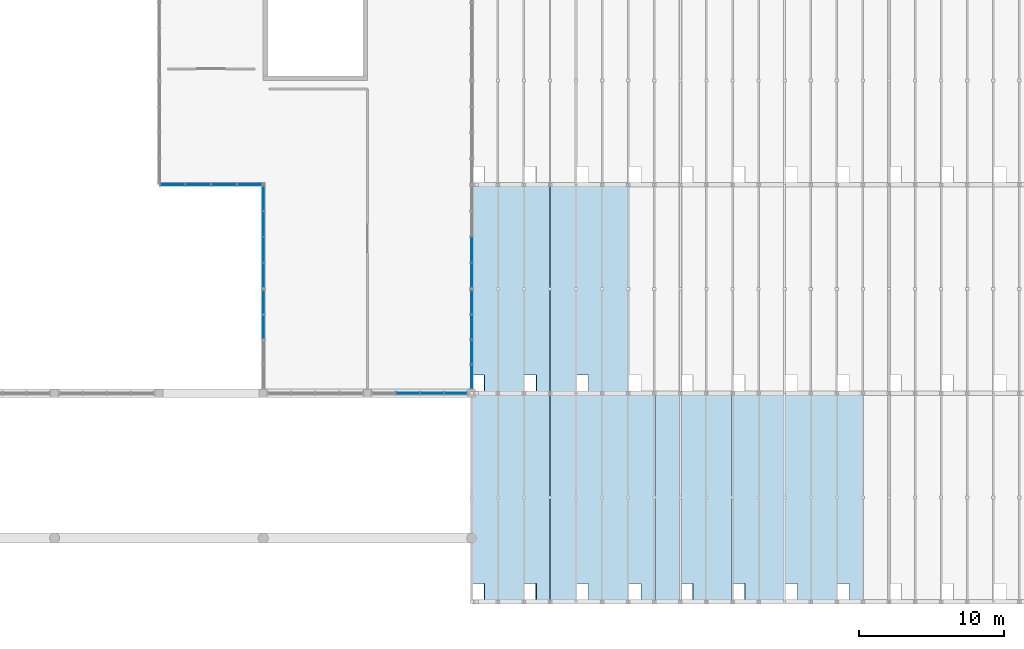
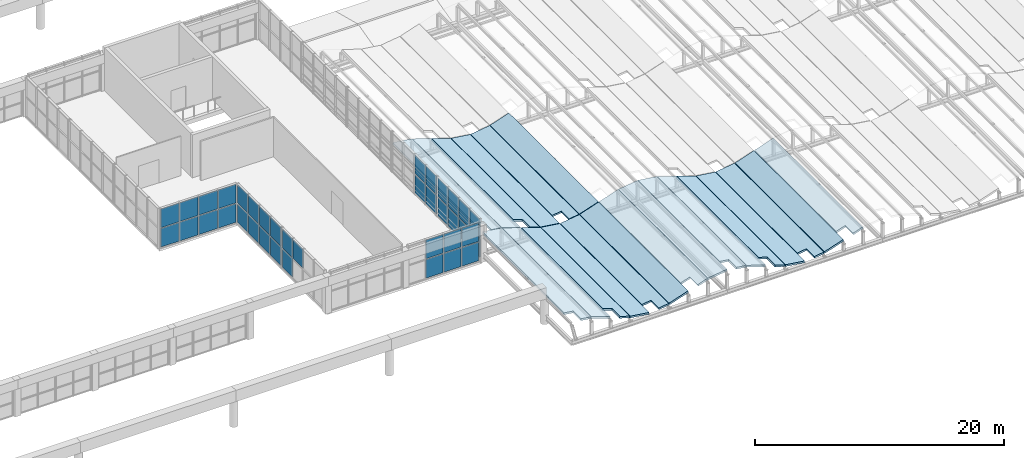
# One storey, part 54 of 83: 37 plates, 21 slabs, 6 elements without a shape of their own.
"""IFC4 building model written with IfcOpenShell, lengths in metres."""

from ifc_helpers import new_model, si_unit, direction, frame, origin, origin_2d, place, context, subcontext, project, spatial, polyline, rectangle, outline, extrude, material, layer, layer_set, type_object, element, aggregate, save


model = new_model("IFC4")

# Units and contexts
model_context = context("Model", 3, precision=1e-05, world=origin(), true_north=direction((0.0, 1.0)))
body_context = subcontext(model_context, "Body", "Model", "MODEL_VIEW")
ifc_project = project(units=[si_unit("LENGTHUNIT", "METRE"), si_unit("AREAUNIT", "SQUARE_METRE"), si_unit("VOLUMEUNIT", "CUBIC_METRE"), si_unit("PLANEANGLEUNIT", "RADIAN"), si_unit("MASSUNIT", "GRAM", prefix="KILO")], contexts=[model_context])

# Site, building, storey
site_placement = place(None, origin())
site = spatial("IfcSite", under=ifc_project, at=site_placement, CompositionType="ELEMENT")
building_placement = place(site_placement, origin())
building = spatial("IfcBuilding", under=site, at=building_placement, Name="Leyfeld Transit Interchange", CompositionType="ELEMENT")
storey_placement = place(building_placement, frame((0.0, 0.0, 5.39990234375)))
storey = spatial("IfcBuildingStorey", under=building, at=storey_placement, Name="L01", CompositionType="ELEMENT", Elevation=5.39990234375)

# Curtain wall, plates
ifc_material_1 = material(Name="Anodised aluminium EN AW-6060 T66", Category="aluminium")
curtain_wall_type = type_object("IfcCurtainWallType", Name="CW-SYS-ARC-7200", PredefinedType="NOTDEFINED", material=ifc_material_1)
curtain_wall_1_placement = place(storey_placement, origin())
curtain_wall_1 = element("IfcCurtainWall", 1, at=curtain_wall_1_placement, inside=storey, type_object=curtain_wall_type, Name="Curtain Wall CW-L01-073", PredefinedType="NOTDEFINED")
ifc_material_2 = material(Name="Triple low-E insulated glazing", Category="glass")
ifc_layer_1 = layer(ifc_material_2, 0.0439453125, Name="Triple low-E insulated glazing")
ifc_layer_set_1 = layer_set([ifc_layer_1], Name="Triple low-E insulated glazing")
plate_type = type_object("IfcPlateType", Name="CW-PNL-GLZ-44", PredefinedType="CURTAIN_PANEL", material=ifc_layer_set_1)
plate_1_placement = place(storey_placement, frame((86.39990234375, 18.980712890625, 1.9912109375), z_axis=(0.0, 0.0, 1.0), x_axis=(0.0, 1.0, 0.0)))
plate_1 = element("IfcPlate", 2, at=plate_1_placement, type_object=plate_type, Name="Glazed Curtain Panel CW-L01-073-P03_2", PredefinedType="CURTAIN_PANEL", context=body_context, shape_type="SweptSolid", body=[
    extrude(rectangle(XDim=1.644287109375, YDim=0.0439453125, at=origin_2d()), origin(), (0.0, 0.0, 1.0), 1.825439453125),
])
plate_2_placement = place(storey_placement, frame((86.39990234375, 20.685546875, 0.08349609375), z_axis=(0.0, 0.0, 1.0), x_axis=(0.0, 1.0, 0.0)))
plate_2 = element("IfcPlate", 3, at=plate_2_placement, type_object=plate_type, Name="Glazed Curtain Panel CW-L01-073-P04_1", PredefinedType="CURTAIN_PANEL", context=body_context, shape_type="SweptSolid", body=[
    extrude(rectangle(XDim=1.601806640625, YDim=0.0439453125, at=origin_2d()), origin(), (0.0, 0.0, 1.0), 1.825439453125),
])
plate_3_placement = place(storey_placement, frame((86.39990234375, 20.685546875, 1.9912109375), z_axis=(0.0, 0.0, 1.0), x_axis=(0.0, 1.0, 0.0)))
plate_3 = element("IfcPlate", 4, at=plate_3_placement, type_object=plate_type, Name="Glazed Curtain Panel CW-L01-073-P04_2", PredefinedType="CURTAIN_PANEL", context=body_context, shape_type="SweptSolid", body=[
    extrude(rectangle(XDim=1.601806640625, YDim=0.0439453125, at=origin_2d()), origin(), (0.0, 0.0, 1.0), 1.825439453125),
])
aggregate(curtain_wall_1, [plate_1, plate_2, plate_3])

curtain_wall_2_placement = place(storey_placement, origin())
curtain_wall_2 = element("IfcCurtainWall", 5, at=curtain_wall_2_placement, inside=storey, type_object=curtain_wall_type, Name="Curtain Wall CW-L01-074", PredefinedType="NOTDEFINED")
plate_4_placement = place(storey_placement, frame((86.39990234375, 22.543701171875, 0.08349609375), z_axis=(0.0, 0.0, 1.0), x_axis=(0.0, 1.0, 0.0)))
plate_4 = element("IfcPlate", 6, at=plate_4_placement, type_object=plate_type, Name="Glazed Curtain Panel CW-L01-074-P01_1", PredefinedType="CURTAIN_PANEL", context=body_context, shape_type="SweptSolid", body=[
    extrude(rectangle(XDim=1.660400390625, YDim=0.0439453125, at=origin_2d()), origin(), (0.0, 0.0, 1.0), 1.825439453125),
])
plate_5_placement = place(storey_placement, frame((86.39990234375, 22.543701171875, 1.9912109375), z_axis=(0.0, 0.0, 1.0), x_axis=(0.0, 1.0, 0.0)))
plate_5 = element("IfcPlate", 7, at=plate_5_placement, type_object=plate_type, Name="Glazed Curtain Panel CW-L01-074-P01_2", PredefinedType="CURTAIN_PANEL", context=body_context, shape_type="SweptSolid", body=[
    extrude(rectangle(XDim=1.660400390625, YDim=0.0439453125, at=origin_2d()), origin(), (0.0, 0.0, 1.0), 1.825439453125),
])
plate_6_placement = place(storey_placement, frame((86.39990234375, 24.3076171875, 0.08349609375), z_axis=(0.0, 0.0, 1.0), x_axis=(0.0, 1.0, 0.0)))
plate_6 = element("IfcPlate", 8, at=plate_6_placement, type_object=plate_type, Name="Glazed Curtain Panel CW-L01-074-P02_1", PredefinedType="CURTAIN_PANEL", context=body_context, shape_type="SweptSolid", body=[
    extrude(rectangle(XDim=1.702880859375, YDim=0.0439453125, at=origin_2d()), origin(), (0.0, 0.0, 1.0), 1.825439453125),
])
plate_7_placement = place(storey_placement, frame((86.39990234375, 24.3076171875, 1.9912109375), z_axis=(0.0, 0.0, 1.0), x_axis=(0.0, 1.0, 0.0)))
plate_7 = element("IfcPlate", 9, at=plate_7_placement, type_object=plate_type, Name="Glazed Curtain Panel CW-L01-074-P02_2", PredefinedType="CURTAIN_PANEL", context=body_context, shape_type="SweptSolid", body=[
    extrude(rectangle(XDim=1.702880859375, YDim=0.0439453125, at=origin_2d()), origin(), (0.0, 0.0, 1.0), 1.825439453125),
])
plate_8_placement = place(storey_placement, frame((86.39990234375, 26.092529296875, 0.08349609375), z_axis=(0.0, 0.0, 1.0), x_axis=(0.0, 1.0, 0.0)))
plate_8 = element("IfcPlate", 10, at=plate_8_placement, type_object=plate_type, Name="Glazed Curtain Panel CW-L01-074-P03_1", PredefinedType="CURTAIN_PANEL", context=body_context, shape_type="SweptSolid", body=[
    extrude(rectangle(XDim=1.702880859375, YDim=0.0439453125, at=origin_2d()), origin(), (0.0, 0.0, 1.0), 1.825439453125),
])
plate_9_placement = place(storey_placement, frame((86.39990234375, 26.092529296875, 1.9912109375), z_axis=(0.0, 0.0, 1.0), x_axis=(0.0, 1.0, 0.0)))
plate_9 = element("IfcPlate", 11, at=plate_9_placement, type_object=plate_type, Name="Glazed Curtain Panel CW-L01-074-P03_2", PredefinedType="CURTAIN_PANEL", context=body_context, shape_type="SweptSolid", body=[
    extrude(rectangle(XDim=1.702880859375, YDim=0.0439453125, at=origin_2d()), origin(), (0.0, 0.0, 1.0), 1.825439453125),
])
plate_10_placement = place(storey_placement, frame((86.39990234375, 27.856201171875, 0.08349609375), z_axis=(0.0, 0.0, 1.0), x_axis=(0.0, 1.0, 0.0)))
plate_10 = element("IfcPlate", 12, at=plate_10_placement, type_object=plate_type, Name="Glazed Curtain Panel CW-L01-074-P04_1", PredefinedType="CURTAIN_PANEL", context=body_context, shape_type="SweptSolid", body=[
    extrude(rectangle(XDim=1.660400390625, YDim=0.0439453125, at=origin_2d()), origin(), (0.0, 0.0, 1.0), 1.825439453125),
])
plate_11_placement = place(storey_placement, frame((86.39990234375, 27.856201171875, 1.9912109375), z_axis=(0.0, 0.0, 1.0), x_axis=(0.0, 1.0, 0.0)))
plate_11 = element("IfcPlate", 13, at=plate_11_placement, type_object=plate_type, Name="Glazed Curtain Panel CW-L01-074-P04_2", PredefinedType="CURTAIN_PANEL", context=body_context, shape_type="SweptSolid", body=[
    extrude(rectangle(XDim=1.660400390625, YDim=0.0439453125, at=origin_2d()), origin(), (0.0, 0.0, 1.0), 1.825439453125),
])
aggregate(curtain_wall_2, [plate_4, plate_5, plate_6, plate_7, plate_8, plate_9, plate_10, plate_11])

curtain_wall_3_placement = place(storey_placement, origin())
curtain_wall_3 = element("IfcCurtainWall", 14, at=curtain_wall_3_placement, inside=storey, type_object=curtain_wall_type, Name="Curtain Wall CW-L01-075", PredefinedType="NOTDEFINED")
plate_12_placement = place(storey_placement, frame((85.456298828125, 28.800048828125, 0.08349609375), z_axis=(0.0, 0.0, 1.0), x_axis=(-1.0, 0.0, 0.0)))
plate_12 = element("IfcPlate", 15, at=plate_12_placement, type_object=plate_type, Name="Glazed Curtain Panel CW-L01-075-P01_1", PredefinedType="CURTAIN_PANEL", context=body_context, shape_type="SweptSolid", body=[
    extrude(rectangle(XDim=1.660400390625, YDim=0.0439453125, at=origin_2d()), origin(), (0.0, 0.0, 1.0), 1.825439453125),
])
plate_13_placement = place(storey_placement, frame((85.456298828125, 28.800048828125, 1.9912109375), z_axis=(0.0, 0.0, 1.0), x_axis=(-1.0, 0.0, 0.0)))
plate_13 = element("IfcPlate", 16, at=plate_13_placement, type_object=plate_type, Name="Glazed Curtain Panel CW-L01-075-P01_2", PredefinedType="CURTAIN_PANEL", context=body_context, shape_type="SweptSolid", body=[
    extrude(rectangle(XDim=1.660400390625, YDim=0.0439453125, at=origin_2d()), origin(), (0.0, 0.0, 1.0), 1.825439453125),
])
plate_14_placement = place(storey_placement, frame((83.6923828125, 28.800048828125, 0.08349609375), z_axis=(0.0, 0.0, 1.0), x_axis=(-1.0, 0.0, 0.0)))
plate_14 = element("IfcPlate", 17, at=plate_14_placement, type_object=plate_type, Name="Glazed Curtain Panel CW-L01-075-P02_1", PredefinedType="CURTAIN_PANEL", context=body_context, shape_type="SweptSolid", body=[
    extrude(rectangle(XDim=1.702880859375, YDim=0.0439453125, at=origin_2d()), origin(), (0.0, 0.0, 1.0), 1.825439453125),
])
plate_15_placement = place(storey_placement, frame((83.6923828125, 28.800048828125, 1.9912109375), z_axis=(0.0, 0.0, 1.0), x_axis=(-1.0, 0.0, 0.0)))
plate_15 = element("IfcPlate", 18, at=plate_15_placement, type_object=plate_type, Name="Glazed Curtain Panel CW-L01-075-P02_2", PredefinedType="CURTAIN_PANEL", context=body_context, shape_type="SweptSolid", body=[
    extrude(rectangle(XDim=1.702880859375, YDim=0.0439453125, at=origin_2d()), origin(), (0.0, 0.0, 1.0), 1.825439453125),
])
plate_16_placement = place(storey_placement, frame((81.907470703125, 28.800048828125, 0.08349609375), z_axis=(0.0, 0.0, 1.0), x_axis=(-1.0, 0.0, 0.0)))
plate_16 = element("IfcPlate", 19, at=plate_16_placement, type_object=plate_type, Name="Glazed Curtain Panel CW-L01-075-P03_1", PredefinedType="CURTAIN_PANEL", context=body_context, shape_type="SweptSolid", body=[
    extrude(rectangle(XDim=1.702880859375, YDim=0.0439453125, at=origin_2d()), origin(), (0.0, 0.0, 1.0), 1.825439453125),
])
plate_17_placement = place(storey_placement, frame((81.907470703125, 28.800048828125, 1.9912109375), z_axis=(0.0, 0.0, 1.0), x_axis=(-1.0, 0.0, 0.0)))
plate_17 = element("IfcPlate", 20, at=plate_17_placement, type_object=plate_type, Name="Glazed Curtain Panel CW-L01-075-P03_2", PredefinedType="CURTAIN_PANEL", context=body_context, shape_type="SweptSolid", body=[
    extrude(rectangle(XDim=1.702880859375, YDim=0.0439453125, at=origin_2d()), origin(), (0.0, 0.0, 1.0), 1.825439453125),
])
plate_18_placement = place(storey_placement, frame((80.143798828125, 28.800048828125, 0.08349609375), z_axis=(0.0, 0.0, 1.0), x_axis=(-1.0, 0.0, 0.0)))
plate_18 = element("IfcPlate", 21, at=plate_18_placement, type_object=plate_type, Name="Glazed Curtain Panel CW-L01-075-P04_1", PredefinedType="CURTAIN_PANEL", context=body_context, shape_type="SweptSolid", body=[
    extrude(rectangle(XDim=1.660400390625, YDim=0.0439453125, at=origin_2d()), origin(), (0.0, 0.0, 1.0), 1.825439453125),
])
plate_19_placement = place(storey_placement, frame((80.143798828125, 28.800048828125, 1.9912109375), z_axis=(0.0, 0.0, 1.0), x_axis=(-1.0, 0.0, 0.0)))
plate_19 = element("IfcPlate", 22, at=plate_19_placement, type_object=plate_type, Name="Glazed Curtain Panel CW-L01-075-P04_2", PredefinedType="CURTAIN_PANEL", context=body_context, shape_type="SweptSolid", body=[
    extrude(rectangle(XDim=1.660400390625, YDim=0.0439453125, at=origin_2d()), origin(), (0.0, 0.0, 1.0), 1.825439453125),
])
aggregate(curtain_wall_3, [plate_12, plate_13, plate_14, plate_15, plate_16, plate_17, plate_18, plate_19])

curtain_wall_4_placement = place(storey_placement, origin())
curtain_wall_4 = element("IfcCurtainWall", 23, at=curtain_wall_4_placement, inside=storey, type_object=curtain_wall_type, Name="Curtain Wall CW-L01-084", PredefinedType="NOTDEFINED")
plate_20_placement = place(storey_placement, frame((100.800048828125, 24.3076171875, 0.08349609375), z_axis=(0.0, 0.0, 1.0), x_axis=(0.0, -1.0, 0.0)))
plate_20 = element("IfcPlate", 24, at=plate_20_placement, type_object=plate_type, Name="Glazed Curtain Panel CW-L01-084-P03_1", PredefinedType="CURTAIN_PANEL", context=body_context, shape_type="SweptSolid", body=[
    extrude(rectangle(XDim=1.702880859375, YDim=0.0439453125, at=origin_2d()), origin(), (0.0, 0.0, 1.0), 1.825439453125),
])
plate_21_placement = place(storey_placement, frame((100.800048828125, 24.3076171875, 1.9912109375), z_axis=(0.0, 0.0, 1.0), x_axis=(0.0, -1.0, 0.0)))
plate_21 = element("IfcPlate", 25, at=plate_21_placement, type_object=plate_type, Name="Glazed Curtain Panel CW-L01-084-P03_2", PredefinedType="CURTAIN_PANEL", context=body_context, shape_type="SweptSolid", body=[
    extrude(rectangle(XDim=1.702880859375, YDim=0.0439453125, at=origin_2d()), origin(), (0.0, 0.0, 1.0), 1.825439453125),
])
plate_22_placement = place(storey_placement, frame((100.800048828125, 22.543701171875, 0.08349609375), z_axis=(0.0, 0.0, 1.0), x_axis=(0.0, -1.0, 0.0)))
plate_22 = element("IfcPlate", 26, at=plate_22_placement, type_object=plate_type, Name="Glazed Curtain Panel CW-L01-084-P04_1", PredefinedType="CURTAIN_PANEL", context=body_context, shape_type="SweptSolid", body=[
    extrude(rectangle(XDim=1.660400390625, YDim=0.0439453125, at=origin_2d()), origin(), (0.0, 0.0, 1.0), 1.825439453125),
])
plate_23_placement = place(storey_placement, frame((100.800048828125, 22.543701171875, 1.9912109375), z_axis=(0.0, 0.0, 1.0), x_axis=(0.0, -1.0, 0.0)))
plate_23 = element("IfcPlate", 27, at=plate_23_placement, type_object=plate_type, Name="Glazed Curtain Panel CW-L01-084-P04_2", PredefinedType="CURTAIN_PANEL", context=body_context, shape_type="SweptSolid", body=[
    extrude(rectangle(XDim=1.660400390625, YDim=0.0439453125, at=origin_2d()), origin(), (0.0, 0.0, 1.0), 1.825439453125),
])
aggregate(curtain_wall_4, [plate_20, plate_21, plate_22, plate_23])

curtain_wall_5_placement = place(storey_placement, origin())
curtain_wall_5 = element("IfcCurtainWall", 28, at=curtain_wall_5_placement, inside=storey, type_object=curtain_wall_type, Name="Curtain Wall CW-L01-085", PredefinedType="NOTDEFINED")
plate_24_placement = place(storey_placement, frame((100.800048828125, 20.685546875, 0.08349609375), z_axis=(0.0, 0.0, 1.0), x_axis=(0.0, -1.0, 0.0)))
plate_24 = element("IfcPlate", 29, at=plate_24_placement, type_object=plate_type, Name="Glazed Curtain Panel CW-L01-085-P01_1", PredefinedType="CURTAIN_PANEL", context=body_context, shape_type="SweptSolid", body=[
    extrude(rectangle(XDim=1.601806640625, YDim=0.0439453125, at=origin_2d()), origin(), (0.0, 0.0, 1.0), 1.825439453125),
])
plate_25_placement = place(storey_placement, frame((100.800048828125, 20.685546875, 1.9912109375), z_axis=(0.0, 0.0, 1.0), x_axis=(0.0, -1.0, 0.0)))
plate_25 = element("IfcPlate", 30, at=plate_25_placement, type_object=plate_type, Name="Glazed Curtain Panel CW-L01-085-P01_2", PredefinedType="CURTAIN_PANEL", context=body_context, shape_type="SweptSolid", body=[
    extrude(rectangle(XDim=1.601806640625, YDim=0.0439453125, at=origin_2d()), origin(), (0.0, 0.0, 1.0), 1.825439453125),
])
plate_26_placement = place(storey_placement, frame((100.800048828125, 18.980712890625, 0.08349609375), z_axis=(0.0, 0.0, 1.0), x_axis=(0.0, -1.0, 0.0)))
plate_26 = element("IfcPlate", 31, at=plate_26_placement, type_object=plate_type, Name="Glazed Curtain Panel CW-L01-085-P02_1", PredefinedType="CURTAIN_PANEL", context=body_context, shape_type="SweptSolid", body=[
    extrude(rectangle(XDim=1.644287109375, YDim=0.0439453125, at=origin_2d()), origin(), (0.0, 0.0, 1.0), 1.825439453125),
])
plate_27_placement = place(storey_placement, frame((100.800048828125, 18.980712890625, 1.9912109375), z_axis=(0.0, 0.0, 1.0), x_axis=(0.0, -1.0, 0.0)))
plate_27 = element("IfcPlate", 32, at=plate_27_placement, type_object=plate_type, Name="Glazed Curtain Panel CW-L01-085-P02_2", PredefinedType="CURTAIN_PANEL", context=body_context, shape_type="SweptSolid", body=[
    extrude(rectangle(XDim=1.644287109375, YDim=0.0439453125, at=origin_2d()), origin(), (0.0, 0.0, 1.0), 1.825439453125),
])
plate_28_placement = place(storey_placement, frame((100.800048828125, 17.25439453125, 0.08349609375), z_axis=(0.0, 0.0, 1.0), x_axis=(0.0, -1.0, 0.0)))
plate_28 = element("IfcPlate", 33, at=plate_28_placement, type_object=plate_type, Name="Glazed Curtain Panel CW-L01-085-P03_1", PredefinedType="CURTAIN_PANEL", context=body_context, shape_type="SweptSolid", body=[
    extrude(rectangle(XDim=1.644287109375, YDim=0.0439453125, at=origin_2d()), origin(), (0.0, 0.0, 1.0), 1.825439453125),
])
plate_29_placement = place(storey_placement, frame((100.800048828125, 17.25439453125, 1.9912109375), z_axis=(0.0, 0.0, 1.0), x_axis=(0.0, -1.0, 0.0)))
plate_29 = element("IfcPlate", 34, at=plate_29_placement, type_object=plate_type, Name="Glazed Curtain Panel CW-L01-085-P03_2", PredefinedType="CURTAIN_PANEL", context=body_context, shape_type="SweptSolid", body=[
    extrude(rectangle(XDim=1.644287109375, YDim=0.0439453125, at=origin_2d()), origin(), (0.0, 0.0, 1.0), 1.825439453125),
])
plate_30_placement = place(storey_placement, frame((100.800048828125, 15.54931640625, 0.08349609375), z_axis=(0.0, 0.0, 1.0), x_axis=(0.0, -1.0, 0.0)))
plate_30 = element("IfcPlate", 35, at=plate_30_placement, type_object=plate_type, Name="Glazed Curtain Panel CW-L01-085-P04_1", PredefinedType="CURTAIN_PANEL", context=body_context, shape_type="SweptSolid", body=[
    extrude(rectangle(XDim=1.601806640625, YDim=0.0439453125, at=origin_2d()), origin(), (0.0, 0.0, 1.0), 1.825439453125),
])
plate_31_placement = place(storey_placement, frame((100.800048828125, 15.54931640625, 1.9912109375), z_axis=(0.0, 0.0, 1.0), x_axis=(0.0, -1.0, 0.0)))
plate_31 = element("IfcPlate", 36, at=plate_31_placement, type_object=plate_type, Name="Glazed Curtain Panel CW-L01-085-P04_2", PredefinedType="CURTAIN_PANEL", context=body_context, shape_type="SweptSolid", body=[
    extrude(rectangle(XDim=1.601806640625, YDim=0.0439453125, at=origin_2d()), origin(), (0.0, 0.0, 1.0), 1.825439453125),
])
aggregate(curtain_wall_5, [plate_24, plate_25, plate_26, plate_27, plate_28, plate_29, plate_30, plate_31])

curtain_wall_6_placement = place(storey_placement, origin())
curtain_wall_6 = element("IfcCurtainWall", 37, at=curtain_wall_6_placement, inside=storey, type_object=curtain_wall_type, Name="Curtain Wall CW-L01-086", PredefinedType="NOTDEFINED")
plate_32_placement = place(storey_placement, frame((99.679931640625, 14.39990234375, 0.08349609375), z_axis=(0.0, 0.0, 1.0), x_axis=(-1.0, 0.0, 0.0)))
plate_32 = element("IfcPlate", 38, at=plate_32_placement, type_object=plate_type, Name="Glazed Curtain Panel CW-L01-086-P01_1", PredefinedType="CURTAIN_PANEL", context=body_context, shape_type="SweptSolid", body=[
    extrude(rectangle(XDim=1.54296875, YDim=0.0439453125, at=origin_2d()), origin(), (0.0, 0.0, 1.0), 1.825439453125),
])
plate_33_placement = place(storey_placement, frame((99.679931640625, 14.39990234375, 1.9912109375), z_axis=(0.0, 0.0, 1.0), x_axis=(-1.0, 0.0, 0.0)))
plate_33 = element("IfcPlate", 39, at=plate_33_placement, type_object=plate_type, Name="Glazed Curtain Panel CW-L01-086-P01_2", PredefinedType="CURTAIN_PANEL", context=body_context, shape_type="SweptSolid", body=[
    extrude(rectangle(XDim=1.54296875, YDim=0.0439453125, at=origin_2d()), origin(), (0.0, 0.0, 1.0), 1.825439453125),
])
plate_34_placement = place(storey_placement, frame((98.03369140625, 14.39990234375, 0.08349609375), z_axis=(0.0, 0.0, 1.0), x_axis=(-1.0, 0.0, 0.0)))
plate_34 = element("IfcPlate", 40, at=plate_34_placement, type_object=plate_type, Name="Glazed Curtain Panel CW-L01-086-P02_1", PredefinedType="CURTAIN_PANEL", context=body_context, shape_type="SweptSolid", body=[
    extrude(rectangle(XDim=1.58544921875, YDim=0.0439453125, at=origin_2d()), origin(), (0.0, 0.0, 1.0), 1.825439453125),
])
plate_35_placement = place(storey_placement, frame((98.03369140625, 14.39990234375, 1.9912109375), z_axis=(0.0, 0.0, 1.0), x_axis=(-1.0, 0.0, 0.0)))
plate_35 = element("IfcPlate", 41, at=plate_35_placement, type_object=plate_type, Name="Glazed Curtain Panel CW-L01-086-P02_2", PredefinedType="CURTAIN_PANEL", context=body_context, shape_type="SweptSolid", body=[
    extrude(rectangle(XDim=1.58544921875, YDim=0.0439453125, at=origin_2d()), origin(), (0.0, 0.0, 1.0), 1.825439453125),
])
plate_36_placement = place(storey_placement, frame((96.3662109375, 14.39990234375, 0.08349609375), z_axis=(0.0, 0.0, 1.0), x_axis=(-1.0, 0.0, 0.0)))
plate_36 = element("IfcPlate", 42, at=plate_36_placement, type_object=plate_type, Name="Glazed Curtain Panel CW-L01-086-P03_1", PredefinedType="CURTAIN_PANEL", context=body_context, shape_type="SweptSolid", body=[
    extrude(rectangle(XDim=1.58544921875, YDim=0.0439453125, at=origin_2d()), origin(), (0.0, 0.0, 1.0), 1.825439453125),
])
plate_37_placement = place(storey_placement, frame((96.3662109375, 14.39990234375, 1.9912109375), z_axis=(0.0, 0.0, 1.0), x_axis=(-1.0, 0.0, 0.0)))
plate_37 = element("IfcPlate", 43, at=plate_37_placement, type_object=plate_type, Name="Glazed Curtain Panel CW-L01-086-P03_2", PredefinedType="CURTAIN_PANEL", context=body_context, shape_type="SweptSolid", body=[
    extrude(rectangle(XDim=1.58544921875, YDim=0.0439453125, at=origin_2d()), origin(), (0.0, 0.0, 1.0), 1.825439453125),
])
aggregate(curtain_wall_6, [plate_32, plate_33, plate_34, plate_35, plate_36, plate_37])

# Slabs
ifc_material_3 = material(Name="Precast concrete C40/50", Category="concrete")
ifc_layer_2 = layer(ifc_material_3, 0.1650390625, Name="Precast concrete C40/50")
ifc_layer_set_2 = layer_set([ifc_layer_2], Name="Precast concrete C40/50")
slab_type_1 = type_object("IfcSlabType", Name="SLB-WAVE-165", PredefinedType="ROOF", material=ifc_layer_set_2)
slab_1_placement = place(storey_placement, frame((100.824951171875, 15.669921875, 2.800048828125), z_axis=(0.137485713563, -1.3471436e-05, 0.990503749808), x_axis=(0.990503749898, -6.109e-09, -0.137485713576)))
element("IfcSlab", 44, at=slab_1_placement, inside=storey, type_object=slab_type_1, Name="Bus Canopy Wave Shell R2 S1", PredefinedType="ROOF", context=body_context, shape_type="SweptSolid", body=[
    extrude(outline(polyline([(0.0, 0.0), (0.8531253887552442, 2.117582368135751e-22), (0.8531253963920651, -1.2499999998865754), (1.7719585525995598, -1.2499999895145704), (1.7719584648671056, 13.110107431057397), (-8.009563334100985e-08, 13.110107420685392), (0.0, 0.0)])), origin(), (0.0, 0.0, -1.0), 0.1650390625),
])
slab_2_placement = place(storey_placement, frame((102.6201171875, 14.419921875, 2.5458984375), z_axis=(0.317096029298, 0.0, 0.948393435344), x_axis=(0.948393435344, 0.0, -0.317096029298)))
element("IfcSlab", 45, at=slab_2_placement, inside=storey, type_object=slab_type_1, Name="Bus Canopy Wave Shell R2 S2", PredefinedType="ROOF", context=body_context, shape_type="SweptSolid", body=[
    extrude(outline(polyline([(0.0, 0.0), (1.8555227813884656, 0.0), (1.8555227813884656, 14.360107421875), (0.0, 14.360107421875), (0.0, 0.0)])), origin(), (0.0, 0.0, -1.0), 0.1650390625),
])
slab_3_placement = place(storey_placement, frame((104.419921875, 15.669921875, 1.942626953125), z_axis=(0.317056978235, 4.01592e-07, 0.948406491201), x_axis=(0.948406491201, -5e-12, -0.317056978235)))
element("IfcSlab", 46, at=slab_3_placement, inside=storey, type_object=slab_type_1, Name="Bus Canopy Wave Shell R2 S3", PredefinedType="ROOF", context=body_context, shape_type="SweptSolid", body=[
    extrude(outline(polyline([(0.0, 0.0), (0.8963392883369066, 0.0), (0.896339288343366, -1.2499999999998992), (1.8557543243754762, -1.2499999999907128), (1.8557543243012695, 13.110107421883129), (-6.77471705759284e-11, 13.110107421873941), (0.0, 0.0)])), origin(), (0.0, 0.0, -1.0), 0.1650390625),
])
slab_4_placement = place(storey_placement, frame((106.219970703125, 14.419921875, 1.34375), z_axis=(0.137130242691, 0.0, 0.990553025607), x_axis=(0.990553025607, 0.0, -0.137130242691)))
element("IfcSlab", 47, at=slab_4_placement, inside=storey, type_object=slab_type_1, Name="Bus Canopy Wave Shell R2 S4", PredefinedType="ROOF", context=body_context, shape_type="SweptSolid", body=[
    extrude(outline(polyline([(0.0, 0.0), (1.7767951034686682, 0.0), (1.7767951034686682, 14.360107421875), (0.0, 14.360107421875), (0.0, 0.0)])), origin(), (0.0, 0.0, -1.0), 0.1650390625),
])
slab_5_placement = place(storey_placement, frame((108.02001953125, 15.669921875, 1.10009765625), z_axis=(-0.137130749105, -3.63351e-07, 0.9905529555), x_axis=(0.9905529555, -4e-12, 0.137130749105)))
element("IfcSlab", 48, at=slab_5_placement, inside=storey, type_object=slab_type_1, Name="Bus Canopy Wave Shell R2 S5", PredefinedType="ROOF", context=body_context, shape_type="SweptSolid", body=[
    extrude(outline(polyline([(0.0, 0.0), (0.8582037138964392, 6.617444900424222e-24), (0.858203713901962, -1.2499999999999176), (1.7767951034739589, -1.2499999999923974), (1.7767951034105125, 13.110107421881656), (-5.792355504934759e-11, 13.110107421874135), (0.0, 0.0)])), origin(), (0.0, 0.0, -1.0), 0.1650390625),
])
slab_6_placement = place(storey_placement, frame((109.820068359375, 14.419921875, 1.354248046875), z_axis=(-0.317056465138, 0.0, 0.948406662732), x_axis=(0.948406662732, 0.0, 0.317056465138)))
element("IfcSlab", 49, at=slab_6_placement, inside=storey, type_object=slab_type_1, Name="Bus Canopy Wave Shell R2 S6", PredefinedType="ROOF", context=body_context, shape_type="SweptSolid", body=[
    extrude(outline(polyline([(0.0, 0.0), (1.8557543243692887, 0.0), (1.8557543243692887, 14.360107421875), (0.0, 14.360107421875), (0.0, 0.0)])), origin(), (0.0, 0.0, -1.0), 0.1650390625),
])
ifc_layer_3 = layer(ifc_material_3, 0.179931640625, Name="Precast concrete C40/50")
ifc_layer_set_3 = layer_set([ifc_layer_3], Name="Precast concrete C40/50")
slab_type_2 = type_object("IfcSlabType", Name="SLB-WAVE-180", PredefinedType="ROOF", material=ifc_layer_set_3)
slab_7_placement = place(storey_placement, frame((100.824951171875, 1.27001953125, 2.800048828125), z_axis=(0.137485713229, -1.3471675e-05, 0.990503749855), x_axis=(0.990503749945, -6.11e-09, -0.137485713242)))
element("IfcSlab", 50, at=slab_7_placement, inside=storey, type_object=slab_type_2, Name="Bus Canopy Wave Shell R1 S1", PredefinedType="ROOF", context=body_context, shape_type="SweptSolid", body=[
    extrude(outline(polyline([(0.0, 0.0), (0.8531253887551137, 2.117582368135751e-22), (0.8531253963920757, -1.2499999998865712), (1.7719585525996893, -1.249999989514382), (1.7719584648671047, 13.109863290432559), (-8.009562263622505e-08, 13.10986328006037), (0.0, 0.0)])), origin(), (0.0, 0.0, -1.0), 0.179931640625),
])
slab_8_placement = place(storey_placement, frame((102.6201171875, 0.02001953125, 2.5458984375), z_axis=(0.317096029298, 0.0, 0.948393435344), x_axis=(0.948393435344, 0.0, -0.317096029298)))
element("IfcSlab", 51, at=slab_8_placement, inside=storey, type_object=slab_type_2, Name="Bus Canopy Wave Shell R1 S2", PredefinedType="ROOF", context=body_context, shape_type="SweptSolid", body=[
    extrude(outline(polyline([(0.0, 0.0), (1.8555227813884656, 0.0), (1.8555227813884656, 14.35986328125), (0.0, 14.35986328125), (0.0, 0.0)])), origin(), (0.0, 0.0, -1.0), 0.179931640625),
])
slab_9_placement = place(storey_placement, frame((104.419921875, 1.27001953125, 1.942626953125), z_axis=(0.317056978244, 4.01599e-07, 0.948406491198), x_axis=(0.948406491198, -5e-12, -0.317056978244)))
element("IfcSlab", 52, at=slab_9_placement, inside=storey, type_object=slab_type_2, Name="Bus Canopy Wave Shell R1 S3", PredefinedType="ROOF", context=body_context, shape_type="SweptSolid", body=[
    extrude(outline(polyline([(0.0, 0.0), (0.8963392883369066, 0.0), (0.8963392883433661, -1.2499999999998992), (1.8557543243754764, -1.2499999999907125), (1.8557543243012695, 13.10986328125813), (-6.774716185961031e-11, 13.109863281248943), (0.0, 0.0)])), origin(), (0.0, 0.0, -1.0), 0.179931640625),
])
slab_10_placement = place(storey_placement, frame((106.219970703125, 0.02001953125, 1.34375), z_axis=(0.137130242691, 0.0, 0.990553025607), x_axis=(0.990553025607, 0.0, -0.137130242691)))
element("IfcSlab", 53, at=slab_10_placement, inside=storey, type_object=slab_type_2, Name="Bus Canopy Wave Shell R1 S4", PredefinedType="ROOF", context=body_context, shape_type="SweptSolid", body=[
    extrude(outline(polyline([(0.0, 0.0), (1.7767951034686682, 0.0), (1.7767951034686682, 14.35986328125), (0.0, 14.35986328125), (0.0, 0.0)])), origin(), (0.0, 0.0, -1.0), 0.179931640625),
])
slab_11_placement = place(storey_placement, frame((108.02001953125, 1.27001953125, 1.10009765625), z_axis=(-0.137130749114, -3.63357e-07, 0.990552955499), x_axis=(0.990552955499, -4e-12, 0.137130749114)))
element("IfcSlab", 54, at=slab_11_placement, inside=storey, type_object=slab_type_2, Name="Bus Canopy Wave Shell R1 S5", PredefinedType="ROOF", context=body_context, shape_type="SweptSolid", body=[
    extrude(outline(polyline([(0.0, 0.0), (0.8582037138964391, 6.617444900424222e-24), (0.858203713901962, -1.2499999999999176), (1.776795103473959, -1.2499999999923972), (1.7767951034105127, 13.109863281256656), (-5.792354759695129e-11, 13.109863281249135), (0.0, 0.0)])), origin(), (0.0, 0.0, -1.0), 0.179931640625),
])
slab_12_placement = place(storey_placement, frame((109.820068359375, 0.02001953125, 1.354248046875), z_axis=(-0.317056465138, 0.0, 0.948406662732), x_axis=(0.948406662732, 0.0, 0.317056465138)))
element("IfcSlab", 55, at=slab_12_placement, inside=storey, type_object=slab_type_2, Name="Bus Canopy Wave Shell R1 S6", PredefinedType="ROOF", context=body_context, shape_type="SweptSolid", body=[
    extrude(outline(polyline([(0.0, 0.0), (1.8557543243692887, 0.0), (1.8557543243692887, 14.359863281250004), (0.0, 14.359863281250004), (0.0, 0.0)])), origin(), (0.0, 0.0, -1.0), 0.179931640625),
])
slab_13_placement = place(storey_placement, frame((111.6201171875, 1.27001953125, 1.95751953125), z_axis=(-0.317094683578, 1.053155e-06, 0.948393885285), x_axis=(0.948393885285, -3.6e-11, 0.317094683578)))
element("IfcSlab", 56, at=slab_13_placement, inside=storey, type_object=slab_type_2, Name="Bus Canopy Wave Shell R1 S7", PredefinedType="ROOF", context=body_context, shape_type="SweptSolid", body=[
    extrude(outline(polyline([(0.0, 0.0), (0.8961077456940822, -5.293955920339377e-23), (0.8961077457385161, -1.249999999999307), (1.8555227814310316, -1.2499999999361213), (1.8555227809205794, 13.109863281305916), (-4.660181016979226e-10, 13.109863281242731), (0.0, 0.0)])), origin(), (0.0, 0.0, -1.0), 0.179931640625),
])
slab_14_placement = place(storey_placement, frame((113.419921875, 0.02001953125, 2.556396484375), z_axis=(-0.137130242691, 0.0, 0.990553025607), x_axis=(0.990553025607, 0.0, 0.137130242691)))
element("IfcSlab", 57, at=slab_14_placement, inside=storey, type_object=slab_type_2, Name="Bus Canopy Wave Shell R1 S8", PredefinedType="ROOF", context=body_context, shape_type="SweptSolid", body=[
    extrude(outline(polyline([(0.0, 0.0), (1.7767951034686682, 0.0), (1.7767951034686682, 14.35986328125), (0.0, 14.35986328125), (0.0, 0.0)])), origin(), (0.0, 0.0, -1.0), 0.179931640625),
])
slab_15_placement = place(storey_placement, frame((115.219970703125, 1.27001953125, 2.800048828125), z_axis=(0.137130749114, 3.63357e-07, 0.990552955499), x_axis=(0.990552955499, -4e-12, -0.137130749114)))
element("IfcSlab", 58, at=slab_15_placement, inside=storey, type_object=slab_type_2, Name="Bus Canopy Wave Shell R1 S9", PredefinedType="ROOF", context=body_context, shape_type="SweptSolid", body=[
    extrude(outline(polyline([(0.0, 0.0), (0.8582037138964391, 6.617444900424222e-24), (0.858203713901962, -1.2499999999999176), (1.776795103473959, -1.2499999999923972), (1.7767951034105127, 13.109863281256656), (-5.792354759695129e-11, 13.109863281249135), (0.0, 0.0)])), origin(), (0.0, 0.0, -1.0), 0.179931640625),
])
slab_16_placement = place(storey_placement, frame((117.02001953125, 0.02001953125, 2.5458984375), z_axis=(0.317056465138, 0.0, 0.948406662732), x_axis=(0.948406662732, 0.0, -0.317056465138)))
element("IfcSlab", 59, at=slab_16_placement, inside=storey, type_object=slab_type_2, Name="Bus Canopy Wave Shell R1 S10", PredefinedType="ROOF", context=body_context, shape_type="SweptSolid", body=[
    extrude(outline(polyline([(0.0, 0.0), (1.8557543243692887, 0.0), (1.8557543243692887, 14.359863281250004), (0.0, 14.359863281250004), (0.0, 0.0)])), origin(), (0.0, 0.0, -1.0), 0.179931640625),
])
slab_17_placement = place(storey_placement, frame((118.820068359375, 1.27001953125, 1.942626953125), z_axis=(0.317053383555, -2.411901e-06, 0.94840769291), x_axis=(0.948407692913, -1.86e-10, -0.317053383556)))
element("IfcSlab", 60, at=slab_17_placement, inside=storey, type_object=slab_type_2, Name="Bus Canopy Wave Shell R1 S11", PredefinedType="ROOF", context=body_context, shape_type="SweptSolid", body=[
    extrude(outline(polyline([(0.0, 0.0), (0.8961077435272815, 2.117582368135751e-22), (0.8961077437603315, -1.2499999999963642), (1.8557543245925423, -1.2499999996649207), (1.8557543219152897, 13.109863281543312), (-2.444202646422176e-09, 13.109863281211869), (0.0, 0.0)])), origin(), (0.0, 0.0, -1.0), 0.179931640625),
])
slab_18_placement = place(storey_placement, frame((120.6201171875, 0.02001953125, 1.34375), z_axis=(0.137148909592, 0.0, 0.990550441218), x_axis=(0.990550441218, 0.0, -0.137148909592)))
element("IfcSlab", 61, at=slab_18_placement, inside=storey, type_object=slab_type_2, Name="Bus Canopy Wave Shell R1 S12", PredefinedType="ROOF", context=body_context, shape_type="SweptSolid", body=[
    extrude(outline(polyline([(0.0, 0.0), (1.7765532695493567, 0.0), (1.7765532695493567, 14.359863281250004), (0.0, 14.359863281250004), (0.0, 0.0)])), origin(), (0.0, 0.0, -1.0), 0.179931640625),
])
slab_19_placement = place(storey_placement, frame((122.419921875, 1.27001953125, 1.10009765625), z_axis=(-0.137130749114, -3.63357e-07, 0.990552955499), x_axis=(0.990552955499, -4e-12, 0.137130749114)))
element("IfcSlab", 62, at=slab_19_placement, inside=storey, type_object=slab_type_2, Name="Bus Canopy Wave Shell R1 S13", PredefinedType="ROOF", context=body_context, shape_type="SweptSolid", body=[
    extrude(outline(polyline([(0.0, 0.0), (0.8582037138964391, 6.617444900424222e-24), (0.858203713901962, -1.2499999999999176), (1.776795103473959, -1.2499999999923972), (1.7767951034105127, 13.109863281256656), (-5.792354759695129e-11, 13.109863281249135), (0.0, 0.0)])), origin(), (0.0, 0.0, -1.0), 0.179931640625),
])
slab_20_placement = place(storey_placement, frame((124.219970703125, 0.02001953125, 1.354248046875), z_axis=(-0.317056465138, 0.0, 0.948406662732), x_axis=(0.948406662732, 0.0, 0.317056465138)))
element("IfcSlab", 63, at=slab_20_placement, inside=storey, type_object=slab_type_2, Name="Bus Canopy Wave Shell R1 S14", PredefinedType="ROOF", context=body_context, shape_type="SweptSolid", body=[
    extrude(outline(polyline([(0.0, 0.0), (1.8557543243692887, 0.0), (1.8557543243692887, 14.359863281250004), (0.0, 14.359863281250004), (0.0, 0.0)])), origin(), (0.0, 0.0, -1.0), 0.179931640625),
])
slab_21_placement = place(storey_placement, frame((126.02001953125, 1.27001953125, 1.95751953125), z_axis=(-0.317056978244, -4.01599e-07, 0.948406491198), x_axis=(0.948406491198, -5e-12, 0.317056978244)))
element("IfcSlab", 64, at=slab_21_placement, inside=storey, type_object=slab_type_2, Name="Bus Canopy Wave Shell R1 S15", PredefinedType="ROOF", context=body_context, shape_type="SweptSolid", body=[
    extrude(outline(polyline([(0.0, 0.0), (0.8963392883369066, 0.0), (0.8963392883433661, -1.2499999999998992), (1.8557543243754764, -1.2499999999907125), (1.8557543243012695, 13.10986328125813), (-6.774716185961031e-11, 13.109863281248943), (0.0, 0.0)])), origin(), (0.0, 0.0, -1.0), 0.179931640625),
])

save(model, "model.ifc")
